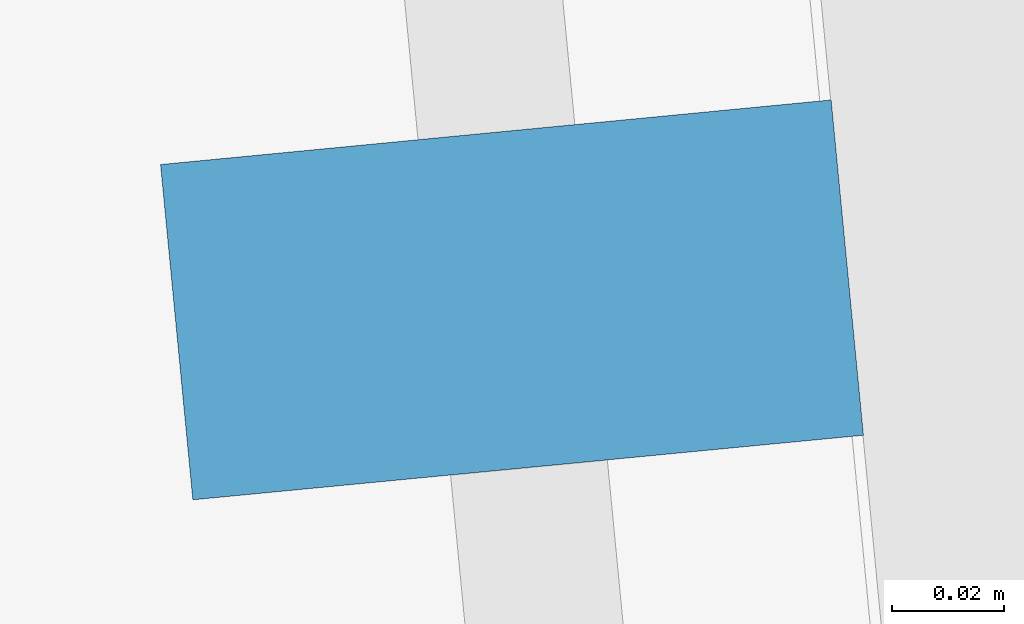
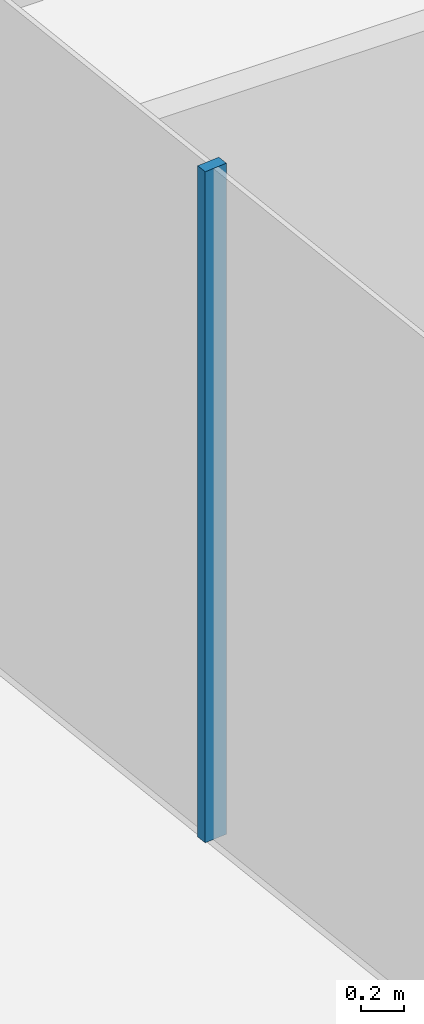
# One storey, part 10 of 22: 1 member, 1 element without a shape of its own.
"""IFC4 building model written with IfcOpenShell, lengths in metres."""

from ifc_helpers import new_model, si_unit, direction, frame, origin, origin_2d, place, context, subcontext, project, spatial, rectangle, extrude, material, layer, layer_set, material_profile, profile_set, type_object, element, aggregate, save


model = new_model("IFC4")

# Units and contexts
model_context = context("Model", 3, precision=1e-05, world=origin(), true_north=direction((0.0, 1.0)))
body_context = subcontext(model_context, "Body", "Model", "MODEL_VIEW")
ifc_project = project(units=[si_unit("LENGTHUNIT", "METRE"), si_unit("AREAUNIT", "SQUARE_METRE"), si_unit("VOLUMEUNIT", "CUBIC_METRE"), si_unit("PLANEANGLEUNIT", "RADIAN"), si_unit("MASSUNIT", "GRAM", prefix="KILO")], contexts=[model_context])

# Site, building, storey
site_placement = place(None, origin())
site = spatial("IfcSite", under=ifc_project, at=site_placement, CompositionType="ELEMENT")
building_placement = place(site_placement, origin())
building = spatial("IfcBuilding", under=site, at=building_placement, Name="Welwitschia Terrace Campus", CompositionType="ELEMENT")
storey_placement = place(building_placement, frame((0.0, 0.0, 192.800048828125)))
storey = spatial("IfcBuildingStorey", under=building, at=storey_placement, Name="L43", CompositionType="ELEMENT", Elevation=192.800048828125)

# Curtain wall, member
ifc_material_1 = material(Name="Bronze anodised aluminium", Category="aluminium")
ifc_layer = layer(ifc_material_1, 0.1201171875)
ifc_layer_set = layer_set([ifc_layer], Name="Bronze anodised aluminium")
curtain_wall_type = type_object("IfcCurtainWallType", Name="Curtain wall CW2 tower 6000", PredefinedType="NOTDEFINED", material=ifc_layer_set)
curtain_wall_placement = place(storey_placement, origin())
curtain_wall = element("IfcCurtainWall", 1, at=curtain_wall_placement, inside=storey, type_object=curtain_wall_type, Name="CW L43.0.0", PredefinedType="NOTDEFINED")
ifc_material_2 = material(Name="Bronze anodised aluminium", Category="aluminium")
ifc_material_profile = material_profile(ifc_material_2, rectangle(XDim=0.1201171875, YDim=0.06005859375, at=origin_2d()))
ifc_profile_set = profile_set([ifc_material_profile], Name="Bronze anodised aluminium")
member_type = type_object("IfcMemberType", Name="Mullion 60x120", PredefinedType="MULLION", material=ifc_profile_set)
member_placement = place(storey_placement, frame((-2.76806640625, 43.282958984375, 0.0), z_axis=(0.0, 0.0, 1.0), x_axis=(0.995396198367, 0.09584575252, 0.0)))
member = element("IfcMember", 2, at=member_placement, type_object=member_type, Name="Mullion L43.0.0.3", PredefinedType="MULLION", context=body_context, shape_type="SweptSolid", body=[
    extrude(rectangle(XDim=0.1201171875, YDim=0.06005859375, at=origin_2d()), origin(), (0.0, 0.0, 1.0), 3.800048828125),
])
aggregate(curtain_wall, [member])

save(model, "model.ifc")
